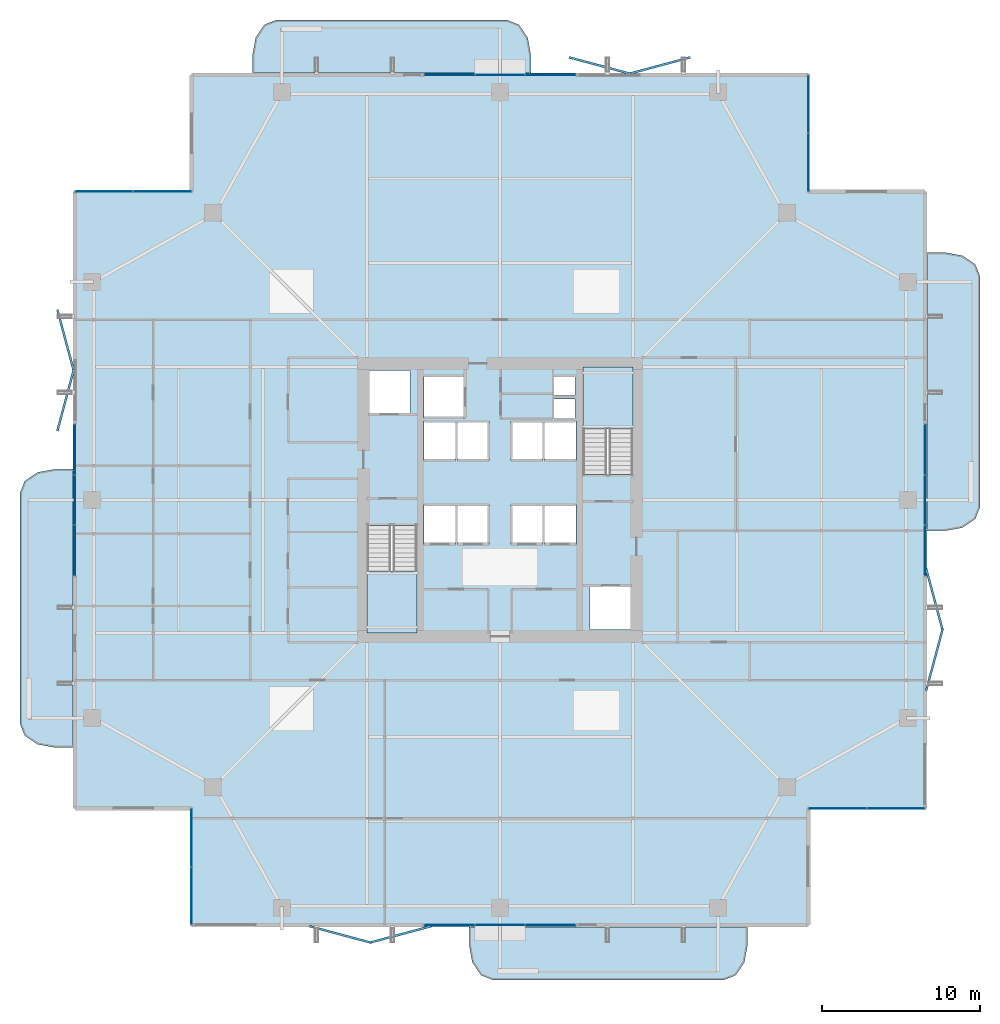
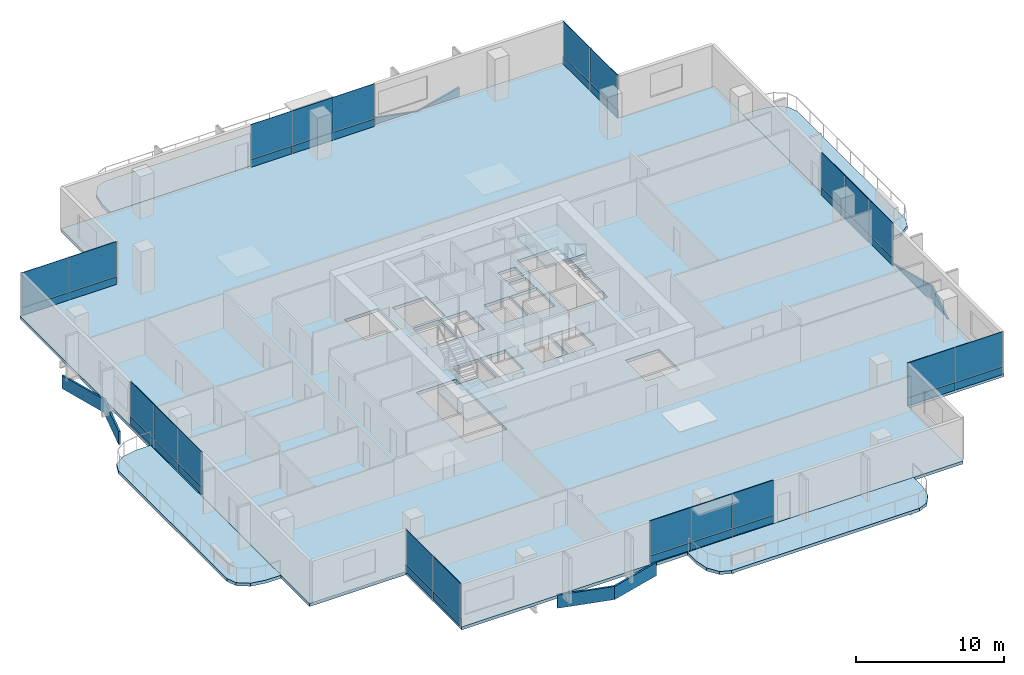
# One storey, part 21 of 29: 48 plates, 7 slabs, 10 elements without a shape of their own.
"""IFC4 building model written with IfcOpenShell, lengths in metres."""

from ifc_helpers import new_model, si_unit, direction, frame, origin, origin_2d, place, context, subcontext, project, spatial, polyline, rectangle, outline, extrude, material, layer, layer_set, type_object, element, aggregate, save


model = new_model("IFC4")

# Units and contexts
model_context = context("Model", 3, precision=1e-05, world=origin(), true_north=direction((0.0, 1.0)))
body_context = subcontext(model_context, "Body", "Model", "MODEL_VIEW")
ifc_project = project(units=[si_unit("LENGTHUNIT", "METRE"), si_unit("AREAUNIT", "SQUARE_METRE"), si_unit("VOLUMEUNIT", "CUBIC_METRE"), si_unit("PLANEANGLEUNIT", "RADIAN"), si_unit("MASSUNIT", "GRAM", prefix="KILO")], contexts=[model_context])

# Site, building, storey
site_placement = place(None, origin())
site = spatial("IfcSite", under=ifc_project, at=site_placement, CompositionType="ELEMENT")
building_placement = place(site_placement, origin())
building = spatial("IfcBuilding", under=site, at=building_placement, Name="Belovzor Exchange Tower", CompositionType="ELEMENT")
storey_placement = place(building_placement, frame((0.0, 0.0, 199.949951171875)))
storey = spatial("IfcBuildingStorey", under=building, at=storey_placement, Name="L49", CompositionType="ELEMENT", Elevation=199.949951171875)

# Slab
ifc_material_1 = material(Name="Concrete C40/50", Category="concrete")
ifc_layer_1 = layer(ifc_material_1, 0.25)
ifc_layer_set_1 = layer_set([ifc_layer_1], Name="Concrete C40/50")
slab_type_1 = type_object("IfcSlabType", Name="Composite Concrete Floor Deck Slab 250", PredefinedType="FLOOR", material=ifc_layer_set_1)
slab_1_placement = place(storey_placement, frame((0.0, 0.0, -0.25)))
element("IfcSlab", 1, at=slab_1_placement, inside=storey, type_object=slab_type_1, Name="SL-F250 Structural Slab L49", PredefinedType="FLOOR", context=body_context, shape_type="SweptSolid", body=[
    extrude(outline(polyline([(9.300048828125, 1.800048828125), (48.300048828125, 1.800048828125), (48.300048828125, 9.300048828125), (55.800048828125, 9.300048828125), (55.800048828125, 48.300048828125), (48.300048828125, 48.300048828125), (48.300048828125, 55.800048828125), (9.300048828125, 55.800048828125), (9.300048828125, 48.300048828125), (1.800048828125, 48.300048828125), (1.800048828125, 9.300048828125), (9.300048828125, 9.300048828125), (9.300048828125, 1.800048828125)]), holes=[polyline([(20.39990234375, 27.175048828125), (20.39990234375, 20.39990234375), (23.550048828125, 20.39990234375), (23.550048828125, 27.175048828125), (20.39990234375, 27.175048828125)]), polyline([(37.199951171875, 30.425048828125), (37.199951171875, 37.199951171875), (34.050048828125, 37.199951171875), (34.050048828125, 30.425048828125), (37.199951171875, 30.425048828125)]), polyline([(20.5, 34.199951171875), (23.10009765625, 34.199951171875), (23.10009765625, 37.0), (20.5, 37.0), (20.5, 34.199951171875)]), polyline([(34.5, 20.60009765625), (37.10009765625, 20.60009765625), (37.10009765625, 23.39990234375), (34.5, 23.39990234375), (34.5, 20.60009765625)]), polyline([(24.0, 34.0), (26.60009765625, 34.0), (26.60009765625, 36.60009765625), (24.0, 36.60009765625), (24.0, 34.0)]), polyline([(24.0, 26.0), (26.0, 26.0), (26.0, 28.5), (24.0, 28.5), (24.0, 26.0)]), polyline([(26.10009765625, 26.0), (28.10009765625, 26.0), (28.10009765625, 28.5), (26.10009765625, 28.5), (26.10009765625, 26.0)]), polyline([(29.5, 26.0), (31.5, 26.0), (31.5, 28.5), (29.5, 28.5), (29.5, 26.0)]), polyline([(31.60009765625, 26.0), (33.60009765625, 26.0), (33.60009765625, 28.5), (31.60009765625, 28.5), (31.60009765625, 26.0)]), polyline([(24.0, 31.300048828125), (26.0, 31.300048828125), (26.0, 33.800048828125), (24.0, 33.800048828125), (24.0, 31.300048828125)]), polyline([(26.10009765625, 31.300048828125), (28.10009765625, 31.300048828125), (28.10009765625, 33.800048828125), (26.10009765625, 33.800048828125), (26.10009765625, 31.300048828125)]), polyline([(29.5, 31.300048828125), (31.5, 31.300048828125), (31.5, 33.800048828125), (29.5, 33.800048828125), (29.5, 31.300048828125)]), polyline([(31.60009765625, 31.300048828125), (33.60009765625, 31.300048828125), (33.60009765625, 33.800048828125), (31.60009765625, 33.800048828125), (31.60009765625, 31.300048828125)]), polyline([(32.199951171875, 34.0), (33.550048828125, 34.0), (33.550048828125, 35.199951171875), (32.199951171875, 35.199951171875), (32.199951171875, 34.0)]), polyline([(32.199951171875, 35.39990234375), (33.550048828125, 35.39990234375), (33.550048828125, 36.60009765625), (32.199951171875, 36.60009765625), (32.199951171875, 35.39990234375)])]), origin(), (0.0, 0.0, 1.0), 0.25),
])

# Curtain wall, plates
ifc_material_2 = material(Name="Anodised Aluminium Framing", Category="aluminium")
ifc_layer_2 = layer(ifc_material_2, 0.179931640625)
ifc_layer_set_2 = layer_set([ifc_layer_2], Name="Anodised Aluminium Framing")
curtain_wall_type_1 = type_object("IfcCurtainWallType", Name="Recessed Loggia Low-Iron Triple-Glazed Curtain Wall", PredefinedType="NOTDEFINED", material=ifc_layer_set_2)
curtain_wall_1_placement = place(storey_placement, origin())
curtain_wall_1 = element("IfcCurtainWall", 2, at=curtain_wall_1_placement, inside=storey, type_object=curtain_wall_type_1, Name="CW3 Recessed Loggia Low-Iron Triple-Glazed Curtain Wall L49", PredefinedType="NOTDEFINED")
ifc_material_3 = material(Name="Solar-Control Triple Glazing", Category="glass")
ifc_layer_3 = layer(ifc_material_3, 0.0439453125)
ifc_layer_set_3 = layer_set([ifc_layer_3], Name="Solar-Control Triple Glazing")
plate_type_1 = type_object("IfcPlateType", Name="Insulated Solar Glazing Curtain Panel 44", PredefinedType="CURTAIN_PANEL", material=ifc_layer_set_3)
plate_1_placement = place(storey_placement, frame((32.0, 1.929931640625, 0.63232421875), z_axis=(0.0, 0.0, 1.0), x_axis=(-1.0, 0.0, 0.0)))
plate_1 = element("IfcPlate", 3, at=plate_1_placement, type_object=plate_type_1, Name="GLZ-44 Glazed Curtain Panel 1", PredefinedType="CURTAIN_PANEL", context=body_context, shape_type="SweptSolid", body=[
    extrude(rectangle(XDim=3.18408203125, YDim=0.0439453125, at=origin_2d()), origin(), (0.0, 0.0, 1.0), 2.867919921875),
])
plate_2_placement = place(storey_placement, frame((28.800048828125, 1.929931640625, 0.63232421875), z_axis=(0.0, 0.0, 1.0), x_axis=(-1.0, 0.0, 0.0)))
plate_2 = element("IfcPlate", 4, at=plate_2_placement, type_object=plate_type_1, Name="GLZ-44 Glazed Curtain Panel 2", PredefinedType="CURTAIN_PANEL", context=body_context, shape_type="SweptSolid", body=[
    extrude(rectangle(XDim=3.18408203125, YDim=0.0439453125, at=origin_2d()), origin(), (0.0, 0.0, 1.0), 2.867919921875),
])
plate_3_placement = place(storey_placement, frame((25.60009765625, 1.929931640625, 0.63232421875), z_axis=(0.0, 0.0, 1.0), x_axis=(-1.0, 0.0, 0.0)))
plate_3 = element("IfcPlate", 5, at=plate_3_placement, type_object=plate_type_1, Name="GLZ-44 Glazed Curtain Panel 3", PredefinedType="CURTAIN_PANEL", context=body_context, shape_type="SweptSolid", body=[
    extrude(rectangle(XDim=3.18408203125, YDim=0.0439453125, at=origin_2d()), origin(), (0.0, 0.0, 1.0), 2.867919921875),
])

curtain_wall_2_placement = place(storey_placement, origin())
curtain_wall_2 = element("IfcCurtainWall", 6, at=curtain_wall_2_placement, inside=storey, type_object=curtain_wall_type_1, Name="CW3 Recessed Loggia Low-Iron Triple-Glazed Curtain Wall L49", PredefinedType="NOTDEFINED")
plate_4_placement = place(storey_placement, frame((25.60009765625, 55.669921875, 0.63232421875), z_axis=(0.0, 0.0, 1.0), x_axis=(1.0, 0.0, 0.0)))
plate_4 = element("IfcPlate", 7, at=plate_4_placement, type_object=plate_type_1, Name="GLZ-44 Glazed Curtain Panel 1", PredefinedType="CURTAIN_PANEL", context=body_context, shape_type="SweptSolid", body=[
    extrude(rectangle(XDim=3.18408203125, YDim=0.0439453125, at=origin_2d()), origin(), (0.0, 0.0, 1.0), 2.867919921875),
])
plate_5_placement = place(storey_placement, frame((28.800048828125, 55.669921875, 0.63232421875), z_axis=(0.0, 0.0, 1.0), x_axis=(1.0, 0.0, 0.0)))
plate_5 = element("IfcPlate", 8, at=plate_5_placement, type_object=plate_type_1, Name="GLZ-44 Glazed Curtain Panel 2", PredefinedType="CURTAIN_PANEL", context=body_context, shape_type="SweptSolid", body=[
    extrude(rectangle(XDim=3.18408203125, YDim=0.0439453125, at=origin_2d()), origin(), (0.0, 0.0, 1.0), 2.867919921875),
])
plate_6_placement = place(storey_placement, frame((32.0, 55.669921875, 0.63232421875), z_axis=(0.0, 0.0, 1.0), x_axis=(1.0, 0.0, 0.0)))
plate_6 = element("IfcPlate", 9, at=plate_6_placement, type_object=plate_type_1, Name="GLZ-44 Glazed Curtain Panel 3", PredefinedType="CURTAIN_PANEL", context=body_context, shape_type="SweptSolid", body=[
    extrude(rectangle(XDim=3.18408203125, YDim=0.0439453125, at=origin_2d()), origin(), (0.0, 0.0, 1.0), 2.867919921875),
])

curtain_wall_3_placement = place(storey_placement, origin())
curtain_wall_3 = element("IfcCurtainWall", 10, at=curtain_wall_3_placement, inside=storey, type_object=curtain_wall_type_1, Name="CW3 Recessed Loggia Low-Iron Triple-Glazed Curtain Wall L49", PredefinedType="NOTDEFINED")
plate_7_placement = place(storey_placement, frame((1.929931640625, 25.60009765625, 0.63232421875), z_axis=(0.0, 0.0, 1.0), x_axis=(0.0, 1.0, 0.0)))
plate_7 = element("IfcPlate", 11, at=plate_7_placement, type_object=plate_type_1, Name="GLZ-44 Glazed Curtain Panel 1", PredefinedType="CURTAIN_PANEL", context=body_context, shape_type="SweptSolid", body=[
    extrude(rectangle(XDim=3.18408203125, YDim=0.0439453125, at=origin_2d()), origin(), (0.0, 0.0, 1.0), 2.867919921875),
])
plate_8_placement = place(storey_placement, frame((1.929931640625, 28.800048828125, 0.63232421875), z_axis=(0.0, 0.0, 1.0), x_axis=(0.0, 1.0, 0.0)))
plate_8 = element("IfcPlate", 12, at=plate_8_placement, type_object=plate_type_1, Name="GLZ-44 Glazed Curtain Panel 2", PredefinedType="CURTAIN_PANEL", context=body_context, shape_type="SweptSolid", body=[
    extrude(rectangle(XDim=3.18408203125, YDim=0.0439453125, at=origin_2d()), origin(), (0.0, 0.0, 1.0), 2.867919921875),
])
plate_9_placement = place(storey_placement, frame((1.929931640625, 32.0, 0.63232421875), z_axis=(0.0, 0.0, 1.0), x_axis=(0.0, 1.0, 0.0)))
plate_9 = element("IfcPlate", 13, at=plate_9_placement, type_object=plate_type_1, Name="GLZ-44 Glazed Curtain Panel 3", PredefinedType="CURTAIN_PANEL", context=body_context, shape_type="SweptSolid", body=[
    extrude(rectangle(XDim=3.18408203125, YDim=0.0439453125, at=origin_2d()), origin(), (0.0, 0.0, 1.0), 2.867919921875),
])

curtain_wall_4_placement = place(storey_placement, origin())
curtain_wall_4 = element("IfcCurtainWall", 14, at=curtain_wall_4_placement, inside=storey, type_object=curtain_wall_type_1, Name="CW3 Recessed Loggia Low-Iron Triple-Glazed Curtain Wall L49", PredefinedType="NOTDEFINED")
plate_10_placement = place(storey_placement, frame((55.669921875, 32.0, 0.63232421875), z_axis=(0.0, 0.0, 1.0), x_axis=(0.0, -1.0, 0.0)))
plate_10 = element("IfcPlate", 15, at=plate_10_placement, type_object=plate_type_1, Name="GLZ-44 Glazed Curtain Panel 1", PredefinedType="CURTAIN_PANEL", context=body_context, shape_type="SweptSolid", body=[
    extrude(rectangle(XDim=3.18408203125, YDim=0.0439453125, at=origin_2d()), origin(), (0.0, 0.0, 1.0), 2.867919921875),
])
plate_11_placement = place(storey_placement, frame((55.669921875, 28.800048828125, 0.63232421875), z_axis=(0.0, 0.0, 1.0), x_axis=(0.0, -1.0, 0.0)))
plate_11 = element("IfcPlate", 16, at=plate_11_placement, type_object=plate_type_1, Name="GLZ-44 Glazed Curtain Panel 2", PredefinedType="CURTAIN_PANEL", context=body_context, shape_type="SweptSolid", body=[
    extrude(rectangle(XDim=3.18408203125, YDim=0.0439453125, at=origin_2d()), origin(), (0.0, 0.0, 1.0), 2.867919921875),
])
plate_12_placement = place(storey_placement, frame((55.669921875, 25.60009765625, 0.63232421875), z_axis=(0.0, 0.0, 1.0), x_axis=(0.0, -1.0, 0.0)))
plate_12 = element("IfcPlate", 17, at=plate_12_placement, type_object=plate_type_1, Name="GLZ-44 Glazed Curtain Panel 3", PredefinedType="CURTAIN_PANEL", context=body_context, shape_type="SweptSolid", body=[
    extrude(rectangle(XDim=3.18408203125, YDim=0.0439453125, at=origin_2d()), origin(), (0.0, 0.0, 1.0), 2.867919921875),
])

ifc_material_4 = material(Name="Anodised Aluminium Framing", Category="aluminium")
ifc_layer_4 = layer(ifc_material_4, 0.195068359375)
ifc_layer_set_4 = layer_set([ifc_layer_4], Name="Anodised Aluminium Framing")
curtain_wall_type_2 = type_object("IfcCurtainWallType", Name="Notched Re-Entrant Corner Unitised Curtain Wall", PredefinedType="NOTDEFINED", material=ifc_layer_set_4)
curtain_wall_5_placement = place(storey_placement, origin())
curtain_wall_5 = element("IfcCurtainWall", 18, at=curtain_wall_5_placement, inside=storey, type_object=curtain_wall_type_2, Name="CW5 Notched Re-Entrant Corner Unitised Curtain Wall L49", PredefinedType="NOTDEFINED")
plate_13_placement = place(storey_placement, frame((9.300048828125, 3.77197265625, 0.63232421875), z_axis=(0.0, 0.0, 1.0), x_axis=(0.0, 1.0, 0.0)))
plate_13 = element("IfcPlate", 19, at=plate_13_placement, type_object=plate_type_1, Name="GLZ-44 Glazed Curtain Panel 1", PredefinedType="CURTAIN_PANEL", context=body_context, shape_type="SweptSolid", body=[
    extrude(rectangle(XDim=3.6689453125, YDim=0.0439453125, at=origin_2d()), origin(), (0.0, 0.0, 1.0), 2.867919921875),
])
plate_14_placement = place(storey_placement, frame((9.300048828125, 7.4580078125, 0.63232421875), z_axis=(0.0, 0.0, 1.0), x_axis=(0.0, 1.0, 0.0)))
plate_14 = element("IfcPlate", 20, at=plate_14_placement, type_object=plate_type_1, Name="GLZ-44 Glazed Curtain Panel 2", PredefinedType="CURTAIN_PANEL", context=body_context, shape_type="SweptSolid", body=[
    extrude(rectangle(XDim=3.6689453125, YDim=0.0439453125, at=origin_2d()), origin(), (0.0, 0.0, 1.0), 2.867919921875),
])

curtain_wall_6_placement = place(storey_placement, origin())
curtain_wall_6 = element("IfcCurtainWall", 21, at=curtain_wall_6_placement, inside=storey, type_object=curtain_wall_type_2, Name="CW5 Notched Re-Entrant Corner Unitised Curtain Wall L49", PredefinedType="NOTDEFINED")
plate_15_placement = place(storey_placement, frame((3.77197265625, 48.300048828125, 0.63232421875), z_axis=(0.0, 0.0, 1.0), x_axis=(1.0, 0.0, 0.0)))
plate_15 = element("IfcPlate", 22, at=plate_15_placement, type_object=plate_type_1, Name="GLZ-44 Glazed Curtain Panel 1", PredefinedType="CURTAIN_PANEL", context=body_context, shape_type="SweptSolid", body=[
    extrude(rectangle(XDim=3.6689453125, YDim=0.0439453125, at=origin_2d()), origin(), (0.0, 0.0, 1.0), 2.867919921875),
])
plate_16_placement = place(storey_placement, frame((7.4580078125, 48.300048828125, 0.63232421875), z_axis=(0.0, 0.0, 1.0), x_axis=(1.0, 0.0, 0.0)))
plate_16 = element("IfcPlate", 23, at=plate_16_placement, type_object=plate_type_1, Name="GLZ-44 Glazed Curtain Panel 2", PredefinedType="CURTAIN_PANEL", context=body_context, shape_type="SweptSolid", body=[
    extrude(rectangle(XDim=3.6689453125, YDim=0.0439453125, at=origin_2d()), origin(), (0.0, 0.0, 1.0), 2.867919921875),
])

curtain_wall_7_placement = place(storey_placement, origin())
curtain_wall_7 = element("IfcCurtainWall", 24, at=curtain_wall_7_placement, inside=storey, type_object=curtain_wall_type_2, Name="CW5 Notched Re-Entrant Corner Unitised Curtain Wall L49", PredefinedType="NOTDEFINED")
plate_17_placement = place(storey_placement, frame((48.300048828125, 53.827880859375, 0.63232421875), z_axis=(0.0, 0.0, 1.0), x_axis=(0.0, -1.0, 0.0)))
plate_17 = element("IfcPlate", 25, at=plate_17_placement, type_object=plate_type_1, Name="GLZ-44 Glazed Curtain Panel 1", PredefinedType="CURTAIN_PANEL", context=body_context, shape_type="SweptSolid", body=[
    extrude(rectangle(XDim=3.6689453125, YDim=0.0439453125, at=origin_2d()), origin(), (0.0, 0.0, 1.0), 2.867919921875),
])
plate_18_placement = place(storey_placement, frame((48.300048828125, 50.14208984375, 0.63232421875), z_axis=(0.0, 0.0, 1.0), x_axis=(0.0, -1.0, 0.0)))
plate_18 = element("IfcPlate", 26, at=plate_18_placement, type_object=plate_type_1, Name="GLZ-44 Glazed Curtain Panel 2", PredefinedType="CURTAIN_PANEL", context=body_context, shape_type="SweptSolid", body=[
    extrude(rectangle(XDim=3.6689453125, YDim=0.0439453125, at=origin_2d()), origin(), (0.0, 0.0, 1.0), 2.867919921875),
])

curtain_wall_8_placement = place(storey_placement, origin())
curtain_wall_8 = element("IfcCurtainWall", 27, at=curtain_wall_8_placement, inside=storey, type_object=curtain_wall_type_2, Name="CW5 Notched Re-Entrant Corner Unitised Curtain Wall L49", PredefinedType="NOTDEFINED")
plate_19_placement = place(storey_placement, frame((53.827880859375, 9.300048828125, 0.63232421875), z_axis=(0.0, 0.0, 1.0), x_axis=(-1.0, 0.0, 0.0)))
plate_19 = element("IfcPlate", 28, at=plate_19_placement, type_object=plate_type_1, Name="GLZ-44 Glazed Curtain Panel 1", PredefinedType="CURTAIN_PANEL", context=body_context, shape_type="SweptSolid", body=[
    extrude(rectangle(XDim=3.6689453125, YDim=0.0439453125, at=origin_2d()), origin(), (0.0, 0.0, 1.0), 2.867919921875),
])
plate_20_placement = place(storey_placement, frame((50.14208984375, 9.300048828125, 0.63232421875), z_axis=(0.0, 0.0, 1.0), x_axis=(-1.0, 0.0, 0.0)))
plate_20 = element("IfcPlate", 29, at=plate_20_placement, type_object=plate_type_1, Name="GLZ-44 Glazed Curtain Panel 2", PredefinedType="CURTAIN_PANEL", context=body_context, shape_type="SweptSolid", body=[
    extrude(rectangle(XDim=3.6689453125, YDim=0.0439453125, at=origin_2d()), origin(), (0.0, 0.0, 1.0), 2.867919921875),
])

# Plates
ifc_material_5 = material(Name="Extruded Architectural Terracotta", Category="masonry")
ifc_layer_5 = layer(ifc_material_5, 0.139892578125)
ifc_layer_set_5 = layer_set([ifc_layer_5], Name="Extruded Architectural Terracotta")
plate_type_2 = type_object("IfcPlateType", Name="Mid-Tower Folded Zigzag Terracotta Spandrel Louvre 120", PredefinedType="USERDEFINED", material=ifc_layer_set_5)
for number, where, z_axis, x_axis, name in (
    (30, (18.699951171875, 1.330078125, -1.06494140625), (0.0, 0.0, 1.0), (0.965812803231, -0.259240485101, 0.0), "LVR-ZZ2 Zigzag Terracotta Spandrel Louvre L49 S1A"),
    (31, (22.5, 1.330078125, -1.06494140625), (0.0, 0.0, 1.0), (0.965812803231, 0.259240485101, 0.0), "LVR-ZZ2 Zigzag Terracotta Spandrel Louvre L49 S1B"),
    (32, (56.27001953125, 18.699951171875, -1.06494140625), (0.0, 0.0, 1.0), (0.259240485101, 0.965812803231, 0.0), "LVR-ZZ2 Zigzag Terracotta Spandrel Louvre L49 E1A"),
    (33, (56.27001953125, 22.5, -1.06494140625), (0.0, 0.0, 1.0), (-0.259240485101, 0.965812803231, 0.0), "LVR-ZZ2 Zigzag Terracotta Spandrel Louvre L49 E1B"),
    (34, (35.10009765625, 56.27001953125, -1.06494140625), (0.0, 0.0, 1.0), (0.965812803231, -0.259240485101, 0.0), "LVR-ZZ2 Zigzag Terracotta Spandrel Louvre L49 N2A"),
    (35, (38.89990234375, 56.27001953125, -1.06494140625), (0.0, 0.0, 1.0), (0.965812803231, 0.259240485101, 0.0), "LVR-ZZ2 Zigzag Terracotta Spandrel Louvre L49 N2B"),
    (36, (1.330078125, 35.10009765625, -1.06494140625), (0.0, 0.0, 1.0), (0.259240485101, 0.965812803231, 0.0), "LVR-ZZ2 Zigzag Terracotta Spandrel Louvre L49 W2A"),
    (37, (1.330078125, 38.89990234375, -1.06494140625), (0.0, 0.0, 1.0), (-0.259240485101, 0.965812803231, 0.0), "LVR-ZZ2 Zigzag Terracotta Spandrel Louvre L49 W2B"),
):
    element("IfcPlate", number, at=place(storey_placement, frame(where, z_axis=z_axis, x_axis=x_axis)), inside=storey, type_object=plate_type_2, Name=name, ObjectType="SPANDREL_LOUVRE", PredefinedType="USERDEFINED", context=body_context, shape_type="SweptSolid", body=[
        extrude(rectangle(XDim=4.014892578125, YDim=0.139892578125, at=origin_2d()), origin(), (0.0, 0.0, 1.0), 1.080078125),
    ])

# Stair, slab
ifc_material_6 = material(Name="Concrete C40/50", Category="concrete")
stair_type = type_object("IfcStairType", Name="Reinforced Concrete Dogleg Escape Stair 1350", PredefinedType="HALF_TURN_STAIR", material=ifc_material_6)
stair_1_placement = place(storey_placement, origin())
stair_1 = element("IfcStair", 38, at=stair_1_placement, inside=storey, type_object=stair_type, Name="L49 ST-1", PredefinedType="HALF_TURN_STAIR")
ifc_material_7 = material(Name="Concrete C40/50", Category="concrete")
ifc_layer_6 = layer(ifc_material_7, 0.199951171875)
ifc_layer_set_6 = layer_set([ifc_layer_6], Name="Concrete C40/50")
slab_type_2 = type_object("IfcSlabType", Name="Reinforced Concrete Stair Half-Landing Slab 200", PredefinedType="LANDING", material=ifc_layer_set_6)
slab_2_placement = place(storey_placement, frame((0.0, 0.0, 1.675048828125)))
slab_2 = element("IfcSlab", 39, at=slab_2_placement, type_object=slab_type_2, Name="ST-1 landing 1", PredefinedType="LANDING", context=body_context, shape_type="SweptSolid", body=[
    extrude(outline(polyline([(20.39990234375, 24.300048828125), (20.39990234375, 20.39990234375), (23.550048828125, 20.39990234375), (23.550048828125, 24.300048828125), (20.39990234375, 24.300048828125)])), origin(), (0.0, 0.0, 1.0), 0.199951171875),
])
aggregate(stair_1, [slab_2])

stair_2_placement = place(storey_placement, origin())
stair_2 = element("IfcStair", 40, at=stair_2_placement, inside=storey, type_object=stair_type, Name="L49 ST-2", PredefinedType="HALF_TURN_STAIR")
slab_3_placement = place(storey_placement, frame((0.0, 0.0, 1.675048828125)))
slab_3 = element("IfcSlab", 41, at=slab_3_placement, type_object=slab_type_2, Name="ST-2 landing 1", PredefinedType="LANDING", context=body_context, shape_type="SweptSolid", body=[
    extrude(outline(polyline([(37.199951171875, 33.300048828125), (37.199951171875, 37.199951171875), (34.050048828125, 37.199951171875), (34.050048828125, 33.300048828125), (37.199951171875, 33.300048828125)])), origin(), (0.0, 0.0, 1.0), 0.199951171875),
])
aggregate(stair_2, [slab_3])

# Plate
ifc_material_8 = material(Name="Extruded Architectural Terracotta", Category="masonry")
ifc_layer_7 = layer(ifc_material_8, 0.090087890625)
ifc_layer_set_7 = layer_set([ifc_layer_7], Name="Extruded Architectural Terracotta")
plate_type_3 = type_object("IfcPlateType", Name="Terracotta Shadow-Box Spandrel Panel 90", PredefinedType="CURTAIN_PANEL", material=ifc_layer_set_7)
plate_21_placement = place(storey_placement, frame((32.0, 1.929931640625, 0.0), z_axis=(0.0, 0.0, 1.0), x_axis=(-1.0, 0.0, 0.0)))
plate_21 = element("IfcPlate", 42, at=plate_21_placement, type_object=plate_type_3, Name="SPD-90 Spandrel Panel 1", PredefinedType="CURTAIN_PANEL", context=body_context, shape_type="SweptSolid", body=[
    extrude(rectangle(XDim=3.18408203125, YDim=0.090087890625, at=origin_2d()), origin(), (0.0, 0.0, 1.0), 0.6279296875),
])

plate_22_placement = place(storey_placement, frame((28.800048828125, 1.929931640625, 0.0), z_axis=(0.0, 0.0, 1.0), x_axis=(-1.0, 0.0, 0.0)))
plate_22 = element("IfcPlate", 43, at=plate_22_placement, type_object=plate_type_3, Name="SPD-90 Spandrel Panel 2", PredefinedType="CURTAIN_PANEL", context=body_context, shape_type="SweptSolid", body=[
    extrude(rectangle(XDim=3.18408203125, YDim=0.090087890625, at=origin_2d()), origin(), (0.0, 0.0, 1.0), 0.6279296875),
])

plate_23_placement = place(storey_placement, frame((25.60009765625, 1.929931640625, 0.0), z_axis=(0.0, 0.0, 1.0), x_axis=(-1.0, 0.0, 0.0)))
plate_23 = element("IfcPlate", 44, at=plate_23_placement, type_object=plate_type_3, Name="SPD-90 Spandrel Panel 3", PredefinedType="CURTAIN_PANEL", context=body_context, shape_type="SweptSolid", body=[
    extrude(rectangle(XDim=3.18408203125, YDim=0.090087890625, at=origin_2d()), origin(), (0.0, 0.0, 1.0), 0.6279296875),
])

aggregate(curtain_wall_1, [plate_21, plate_1, plate_22, plate_2, plate_23, plate_3])

plate_24_placement = place(storey_placement, frame((25.60009765625, 55.669921875, 0.0), z_axis=(0.0, 0.0, 1.0), x_axis=(1.0, 0.0, 0.0)))
plate_24 = element("IfcPlate", 45, at=plate_24_placement, type_object=plate_type_3, Name="SPD-90 Spandrel Panel 1", PredefinedType="CURTAIN_PANEL", context=body_context, shape_type="SweptSolid", body=[
    extrude(rectangle(XDim=3.18408203125, YDim=0.090087890625, at=origin_2d()), origin(), (0.0, 0.0, 1.0), 0.6279296875),
])

plate_25_placement = place(storey_placement, frame((28.800048828125, 55.669921875, 0.0), z_axis=(0.0, 0.0, 1.0), x_axis=(1.0, 0.0, 0.0)))
plate_25 = element("IfcPlate", 46, at=plate_25_placement, type_object=plate_type_3, Name="SPD-90 Spandrel Panel 2", PredefinedType="CURTAIN_PANEL", context=body_context, shape_type="SweptSolid", body=[
    extrude(rectangle(XDim=3.18408203125, YDim=0.090087890625, at=origin_2d()), origin(), (0.0, 0.0, 1.0), 0.6279296875),
])

plate_26_placement = place(storey_placement, frame((32.0, 55.669921875, 0.0), z_axis=(0.0, 0.0, 1.0), x_axis=(1.0, 0.0, 0.0)))
plate_26 = element("IfcPlate", 47, at=plate_26_placement, type_object=plate_type_3, Name="SPD-90 Spandrel Panel 3", PredefinedType="CURTAIN_PANEL", context=body_context, shape_type="SweptSolid", body=[
    extrude(rectangle(XDim=3.18408203125, YDim=0.090087890625, at=origin_2d()), origin(), (0.0, 0.0, 1.0), 0.6279296875),
])

aggregate(curtain_wall_2, [plate_24, plate_4, plate_25, plate_5, plate_26, plate_6])

plate_27_placement = place(storey_placement, frame((1.929931640625, 25.60009765625, 0.0), z_axis=(0.0, 0.0, 1.0), x_axis=(0.0, 1.0, 0.0)))
plate_27 = element("IfcPlate", 48, at=plate_27_placement, type_object=plate_type_3, Name="SPD-90 Spandrel Panel 1", PredefinedType="CURTAIN_PANEL", context=body_context, shape_type="SweptSolid", body=[
    extrude(rectangle(XDim=3.18408203125, YDim=0.090087890625, at=origin_2d()), origin(), (0.0, 0.0, 1.0), 0.6279296875),
])

plate_28_placement = place(storey_placement, frame((1.929931640625, 28.800048828125, 0.0), z_axis=(0.0, 0.0, 1.0), x_axis=(0.0, 1.0, 0.0)))
plate_28 = element("IfcPlate", 49, at=plate_28_placement, type_object=plate_type_3, Name="SPD-90 Spandrel Panel 2", PredefinedType="CURTAIN_PANEL", context=body_context, shape_type="SweptSolid", body=[
    extrude(rectangle(XDim=3.18408203125, YDim=0.090087890625, at=origin_2d()), origin(), (0.0, 0.0, 1.0), 0.6279296875),
])

plate_29_placement = place(storey_placement, frame((1.929931640625, 32.0, 0.0), z_axis=(0.0, 0.0, 1.0), x_axis=(0.0, 1.0, 0.0)))
plate_29 = element("IfcPlate", 50, at=plate_29_placement, type_object=plate_type_3, Name="SPD-90 Spandrel Panel 3", PredefinedType="CURTAIN_PANEL", context=body_context, shape_type="SweptSolid", body=[
    extrude(rectangle(XDim=3.18408203125, YDim=0.090087890625, at=origin_2d()), origin(), (0.0, 0.0, 1.0), 0.6279296875),
])

aggregate(curtain_wall_3, [plate_27, plate_7, plate_28, plate_8, plate_29, plate_9])

plate_30_placement = place(storey_placement, frame((55.669921875, 32.0, 0.0), z_axis=(0.0, 0.0, 1.0), x_axis=(0.0, -1.0, 0.0)))
plate_30 = element("IfcPlate", 51, at=plate_30_placement, type_object=plate_type_3, Name="SPD-90 Spandrel Panel 1", PredefinedType="CURTAIN_PANEL", context=body_context, shape_type="SweptSolid", body=[
    extrude(rectangle(XDim=3.18408203125, YDim=0.090087890625, at=origin_2d()), origin(), (0.0, 0.0, 1.0), 0.6279296875),
])

plate_31_placement = place(storey_placement, frame((55.669921875, 28.800048828125, 0.0), z_axis=(0.0, 0.0, 1.0), x_axis=(0.0, -1.0, 0.0)))
plate_31 = element("IfcPlate", 52, at=plate_31_placement, type_object=plate_type_3, Name="SPD-90 Spandrel Panel 2", PredefinedType="CURTAIN_PANEL", context=body_context, shape_type="SweptSolid", body=[
    extrude(rectangle(XDim=3.18408203125, YDim=0.090087890625, at=origin_2d()), origin(), (0.0, 0.0, 1.0), 0.6279296875),
])

plate_32_placement = place(storey_placement, frame((55.669921875, 25.60009765625, 0.0), z_axis=(0.0, 0.0, 1.0), x_axis=(0.0, -1.0, 0.0)))
plate_32 = element("IfcPlate", 53, at=plate_32_placement, type_object=plate_type_3, Name="SPD-90 Spandrel Panel 3", PredefinedType="CURTAIN_PANEL", context=body_context, shape_type="SweptSolid", body=[
    extrude(rectangle(XDim=3.18408203125, YDim=0.090087890625, at=origin_2d()), origin(), (0.0, 0.0, 1.0), 0.6279296875),
])

aggregate(curtain_wall_4, [plate_30, plate_10, plate_31, plate_11, plate_32, plate_12])

plate_33_placement = place(storey_placement, frame((9.300048828125, 3.77197265625, 0.0), z_axis=(0.0, 0.0, 1.0), x_axis=(0.0, 1.0, 0.0)))
plate_33 = element("IfcPlate", 54, at=plate_33_placement, type_object=plate_type_3, Name="SPD-90 Spandrel Panel 1", PredefinedType="CURTAIN_PANEL", context=body_context, shape_type="SweptSolid", body=[
    extrude(rectangle(XDim=3.6689453125, YDim=0.090087890625, at=origin_2d()), origin(), (0.0, 0.0, 1.0), 0.6279296875),
])

plate_34_placement = place(storey_placement, frame((9.300048828125, 7.4580078125, 0.0), z_axis=(0.0, 0.0, 1.0), x_axis=(0.0, 1.0, 0.0)))
plate_34 = element("IfcPlate", 55, at=plate_34_placement, type_object=plate_type_3, Name="SPD-90 Spandrel Panel 2", PredefinedType="CURTAIN_PANEL", context=body_context, shape_type="SweptSolid", body=[
    extrude(rectangle(XDim=3.6689453125, YDim=0.090087890625, at=origin_2d()), origin(), (0.0, 0.0, 1.0), 0.6279296875),
])

aggregate(curtain_wall_5, [plate_33, plate_13, plate_34, plate_14])

plate_35_placement = place(storey_placement, frame((3.77197265625, 48.300048828125, 0.0), z_axis=(0.0, 0.0, 1.0), x_axis=(1.0, 0.0, 0.0)))
plate_35 = element("IfcPlate", 56, at=plate_35_placement, type_object=plate_type_3, Name="SPD-90 Spandrel Panel 1", PredefinedType="CURTAIN_PANEL", context=body_context, shape_type="SweptSolid", body=[
    extrude(rectangle(XDim=3.6689453125, YDim=0.090087890625, at=origin_2d()), origin(), (0.0, 0.0, 1.0), 0.6279296875),
])

plate_36_placement = place(storey_placement, frame((7.4580078125, 48.300048828125, 0.0), z_axis=(0.0, 0.0, 1.0), x_axis=(1.0, 0.0, 0.0)))
plate_36 = element("IfcPlate", 57, at=plate_36_placement, type_object=plate_type_3, Name="SPD-90 Spandrel Panel 2", PredefinedType="CURTAIN_PANEL", context=body_context, shape_type="SweptSolid", body=[
    extrude(rectangle(XDim=3.6689453125, YDim=0.090087890625, at=origin_2d()), origin(), (0.0, 0.0, 1.0), 0.6279296875),
])

aggregate(curtain_wall_6, [plate_35, plate_15, plate_36, plate_16])

plate_37_placement = place(storey_placement, frame((48.300048828125, 53.827880859375, 0.0), z_axis=(0.0, 0.0, 1.0), x_axis=(0.0, -1.0, 0.0)))
plate_37 = element("IfcPlate", 58, at=plate_37_placement, type_object=plate_type_3, Name="SPD-90 Spandrel Panel 1", PredefinedType="CURTAIN_PANEL", context=body_context, shape_type="SweptSolid", body=[
    extrude(rectangle(XDim=3.6689453125, YDim=0.090087890625, at=origin_2d()), origin(), (0.0, 0.0, 1.0), 0.6279296875),
])

plate_38_placement = place(storey_placement, frame((48.300048828125, 50.14208984375, 0.0), z_axis=(0.0, 0.0, 1.0), x_axis=(0.0, -1.0, 0.0)))
plate_38 = element("IfcPlate", 59, at=plate_38_placement, type_object=plate_type_3, Name="SPD-90 Spandrel Panel 2", PredefinedType="CURTAIN_PANEL", context=body_context, shape_type="SweptSolid", body=[
    extrude(rectangle(XDim=3.6689453125, YDim=0.090087890625, at=origin_2d()), origin(), (0.0, 0.0, 1.0), 0.6279296875),
])

aggregate(curtain_wall_7, [plate_37, plate_17, plate_38, plate_18])

plate_39_placement = place(storey_placement, frame((53.827880859375, 9.300048828125, 0.0), z_axis=(0.0, 0.0, 1.0), x_axis=(-1.0, 0.0, 0.0)))
plate_39 = element("IfcPlate", 60, at=plate_39_placement, type_object=plate_type_3, Name="SPD-90 Spandrel Panel 1", PredefinedType="CURTAIN_PANEL", context=body_context, shape_type="SweptSolid", body=[
    extrude(rectangle(XDim=3.6689453125, YDim=0.090087890625, at=origin_2d()), origin(), (0.0, 0.0, 1.0), 0.6279296875),
])

plate_40_placement = place(storey_placement, frame((50.14208984375, 9.300048828125, 0.0), z_axis=(0.0, 0.0, 1.0), x_axis=(-1.0, 0.0, 0.0)))
plate_40 = element("IfcPlate", 61, at=plate_40_placement, type_object=plate_type_3, Name="SPD-90 Spandrel Panel 2", PredefinedType="CURTAIN_PANEL", context=body_context, shape_type="SweptSolid", body=[
    extrude(rectangle(XDim=3.6689453125, YDim=0.090087890625, at=origin_2d()), origin(), (0.0, 0.0, 1.0), 0.6279296875),
])

aggregate(curtain_wall_8, [plate_39, plate_19, plate_40, plate_20])

# Slabs
ifc_material_9 = material(Name="Concrete C40/50", Category="concrete")
ifc_layer_8 = layer(ifc_material_9, 0.25)
ifc_layer_set_8 = layer_set([ifc_layer_8], Name="Concrete C40/50")
slab_type_3 = type_object("IfcSlabType", Name="Thermally Broken Planted Balcony Slab 250", PredefinedType="FLOOR", material=ifc_layer_set_8)
slab_4_placement = place(storey_placement, frame((0.0, 0.0, -0.25)))
element("IfcSlab", 62, at=slab_4_placement, inside=storey, type_object=slab_type_3, Name="SL-BAL220 Planted Balcony Loggia L49 South", PredefinedType="FLOOR", context=body_context, shape_type="SweptSolid", body=[
    extrude(outline(polyline([(26.85009765625, 1.81494140625), (26.85009765625, 0.64990234375), (27.051025390625, -0.449951171875), (27.60009765625, -1.2548828125), (28.35009765625, -1.550048828125), (42.949951171875, -1.550048828125), (43.699951171875, -1.2548828125), (44.2490234375, -0.449951171875), (44.449951171875, 0.64990234375), (44.449951171875, 1.81494140625), (26.85009765625, 1.81494140625)])), origin(), (0.0, 0.0, 1.0), 0.25),
])
slab_5_placement = place(storey_placement, frame((0.0, 0.0, -0.25)))
element("IfcSlab", 63, at=slab_5_placement, inside=storey, type_object=slab_type_3, Name="SL-BAL220 Planted Balcony Loggia L49 North", PredefinedType="FLOOR", context=body_context, shape_type="SweptSolid", body=[
    extrude(outline(polyline([(30.75, 55.784912109375), (30.75, 56.949951171875), (30.549072265625, 58.050048828125), (30.0, 58.85498046875), (29.25, 59.14990234375), (14.64990234375, 59.14990234375), (13.89990234375, 58.85498046875), (13.35107421875, 58.050048828125), (13.14990234375, 56.949951171875), (13.14990234375, 55.784912109375), (30.75, 55.784912109375)])), origin(), (0.0, 0.0, 1.0), 0.25),
])
slab_6_placement = place(storey_placement, frame((0.0, 0.0, -0.25)))
element("IfcSlab", 64, at=slab_6_placement, inside=storey, type_object=slab_type_3, Name="SL-BAL220 Planted Balcony Loggia L49 East", PredefinedType="FLOOR", context=body_context, shape_type="SweptSolid", body=[
    extrude(outline(polyline([(55.784912109375, 26.85009765625), (56.949951171875, 26.85009765625), (58.050048828125, 27.051025390625), (58.85498046875, 27.60009765625), (59.14990234375, 28.35009765625), (59.14990234375, 42.949951171875), (58.85498046875, 43.699951171875), (58.050048828125, 44.2490234375), (56.949951171875, 44.449951171875), (55.784912109375, 44.449951171875), (55.784912109375, 26.85009765625)])), origin(), (0.0, 0.0, 1.0), 0.25),
])
slab_7_placement = place(storey_placement, frame((0.0, 0.0, -0.25)))
element("IfcSlab", 65, at=slab_7_placement, inside=storey, type_object=slab_type_3, Name="SL-BAL220 Planted Balcony Loggia L49 West", PredefinedType="FLOOR", context=body_context, shape_type="SweptSolid", body=[
    extrude(outline(polyline([(1.81494140625, 30.75), (0.64990234375, 30.75), (-0.449951171875, 30.549072265625), (-1.2548828125, 30.0), (-1.550048828125, 29.25), (-1.550048828125, 14.64990234375), (-1.2548828125, 13.89990234375), (-0.449951171875, 13.35107421875), (0.64990234375, 13.14990234375), (1.81494140625, 13.14990234375), (1.81494140625, 30.75)])), origin(), (0.0, 0.0, 1.0), 0.25),
])

save(model, "model.ifc")
